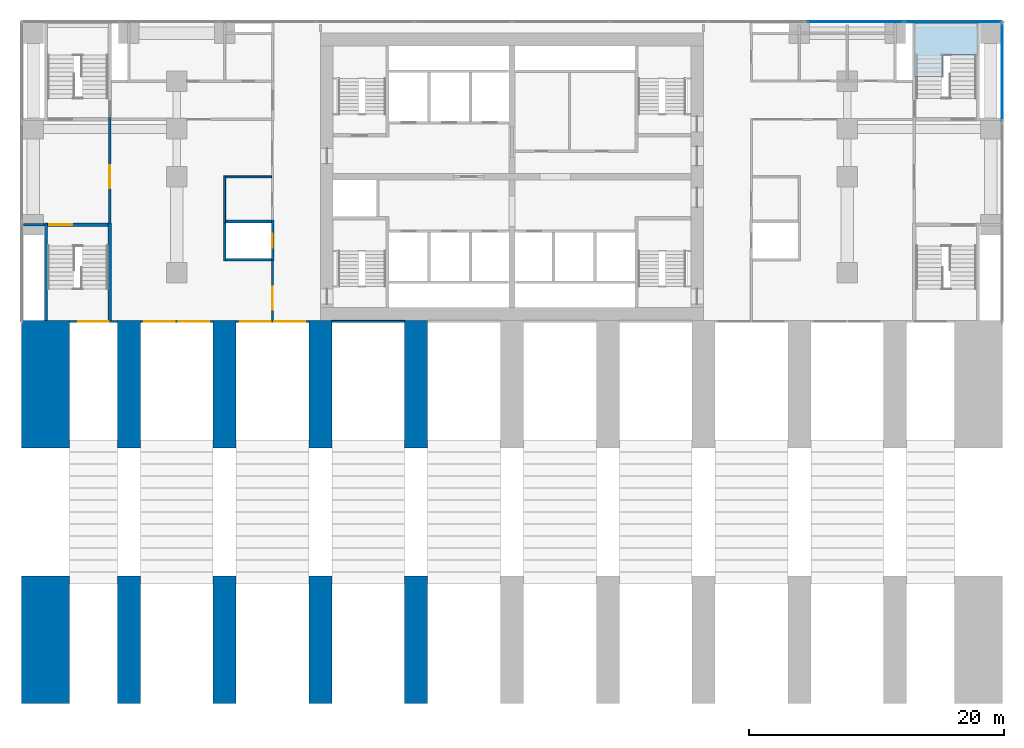
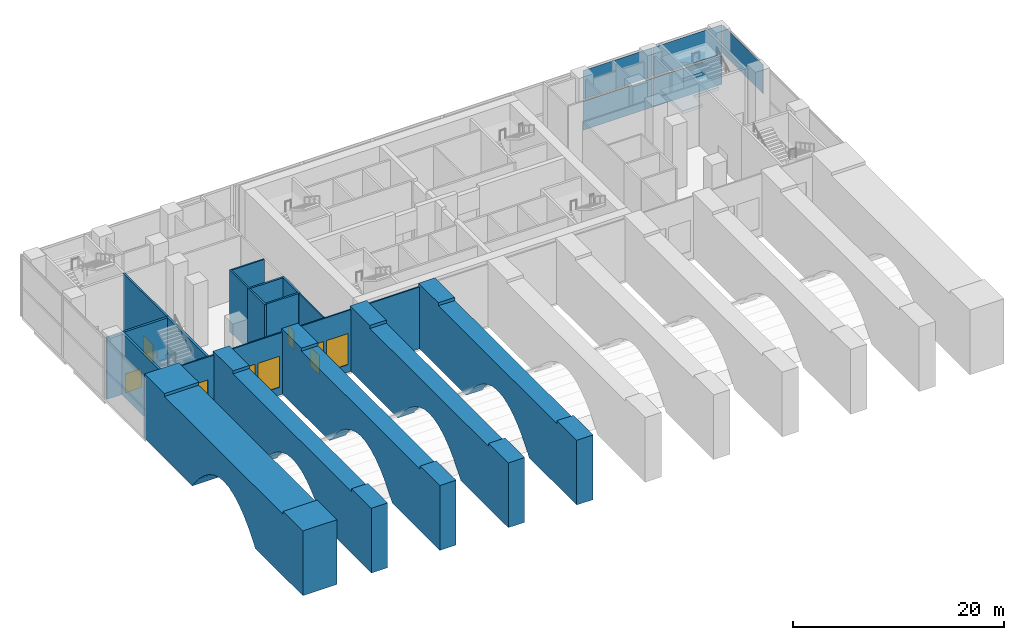
# One storey, part 5 of 15: 21 walls, 5 plates, 5 windows, 4 doors, 2 slabs, 9 openings, 4 elements without a shape of their own.
"""IFC4 building model written with IfcOpenShell, lengths in metres."""

import ifcopenshell
import ifcopenshell.guid

model = None  # the IFC model being written
_history = None  # IfcOwnerHistory: only IFC2X3 demands one
_inside = {}  # id of a spatial element -> (the spatial element, [elements in it])
_under = {}  # id of a project, library or spatial element -> (it, [spatial elements below it])
_declared = {}  # id of a project -> (the project, [libraries it declares])
_typed = {}  # id of a type object -> (the type object, [elements of that type])
_made_of = {}  # id of a material, layer set ... -> (it, [elements and type objects made of it])


def new_model(schema):
    """Start an empty IFC model of exactly this schema.

    Asked for "IFC4X3", IfcOpenShell would pick the latest addendum, in which some entities
    have other attributes; the version numbers below select the first issue.
    IFC2X3 requires an IfcOwnerHistory on every rooted entity: one is made here for all.
    """
    global model, _history
    if schema == "IFC4X3":
        model = ifcopenshell.file(schema_version=(4, 3, 0, 0))
    else:
        model = ifcopenshell.file(schema=schema)
    _inside.clear()
    _under.clear()
    _declared.clear()
    _typed.clear()
    _made_of.clear()
    _history = None
    if model.schema == "IFC2X3":
        org = make("IfcOrganization", Name="unknown")
        user = make(
            "IfcPersonAndOrganization",
            ThePerson=make("IfcPerson", FamilyName="unknown"),
            TheOrganization=org,
        )
        app = make(
            "IfcApplication",
            ApplicationDeveloper=org,
            Version="unknown",
            ApplicationFullName="unknown",
            ApplicationIdentifier="unknown",
        )
        _history = make(
            "IfcOwnerHistory",
            OwningUser=user,
            OwningApplication=app,
            ChangeAction="ADDED",
            CreationDate=0,
        )
    return model


def make(cls, **values):
    """One entity of the class cls with the attributes given. An attribute that is None is left unset."""
    return model.create_entity(
        cls, **{name: value for name, value in values.items() if value is not None}
    )


def rooted(cls, **values):
    """An entity with a GlobalId (a new one), such as an element, a storey or a relation."""
    return make(cls, GlobalId=ifcopenshell.guid.new(), OwnerHistory=_history, **values)


def si_unit(unit_type, name, prefix=None):
    """IfcSIUnit, for example si_unit("LENGTHUNIT", "METRE", prefix="MILLI")."""
    return make("IfcSIUnit", UnitType=unit_type, Prefix=prefix, Name=name)


def assignment(units):
    """IfcUnitAssignment: the units of a project."""
    return None if units is None else make("IfcUnitAssignment", Units=units)


def point(xyz):
    """IfcCartesianPoint."""
    return None if xyz is None else make("IfcCartesianPoint", Coordinates=xyz)


def direction(xyz):
    """IfcDirection."""
    return None if xyz is None else make("IfcDirection", DirectionRatios=xyz)


def frame(location, z_axis=None, x_axis=None):
    """IfcAxis2Placement3D, a coordinate frame: its origin and axes. An axis left out is left unset."""
    return make(
        "IfcAxis2Placement3D",
        Location=point(location),
        Axis=direction(z_axis),
        RefDirection=direction(x_axis),
    )


def frame_2d(location, x_axis=None):
    """IfcAxis2Placement2D, a coordinate frame in the plane: its origin and x axis."""
    return make(
        "IfcAxis2Placement2D", Location=point(location), RefDirection=direction(x_axis)
    )


def origin():
    """The frame at (0, 0, 0) with its axes left unset."""
    return frame((0.0, 0.0, 0.0))


def origin_2d():
    """The frame at (0, 0) in the plane with its x axis left unset."""
    return frame_2d((0.0, 0.0))


def place(relative_to, where):
    """IfcLocalPlacement: puts the frame where relative to a parent placement (None: the world)."""
    return make(
        "IfcLocalPlacement", PlacementRelTo=relative_to, RelativePlacement=where
    )


def context(
    kind, dimensions, precision=None, world=None, true_north=None, identifier=None
):
    """IfcGeometricRepresentationContext, for example the 3D "Model" context."""
    return make(
        "IfcGeometricRepresentationContext",
        ContextIdentifier=identifier,
        ContextType=kind,
        CoordinateSpaceDimension=dimensions,
        Precision=precision,
        WorldCoordinateSystem=world,
        TrueNorth=true_north,
    )


def subcontext(parent, identifier, kind, view, scale=None):
    """IfcGeometricRepresentationSubContext, for example "Body" below "Model"."""
    return make(
        "IfcGeometricRepresentationSubContext",
        ContextIdentifier=identifier,
        ContextType=kind,
        ParentContext=parent,
        TargetScale=scale,
        TargetView=view,
    )


def project(units=None, contexts=None):
    """IfcProject with its units and contexts."""
    return rooted(
        "IfcProject",
        Name="project",
        RepresentationContexts=contexts,
        UnitsInContext=assignment(units),
    )


def spatial(cls, under=None, at=None, **own):
    """A site, building, storey or space (cls), placed at a placement, below another one or the project."""
    s = rooted(cls, ObjectPlacement=at, **own)
    if under is not None:
        _under.setdefault(under.id(), (under, []))[1].append(s)
    return s


def polyline(points):
    """IfcPolyline through the points."""
    return make("IfcPolyline", Points=[point(p) for p in points])


def profile(cls, at=None, kind="AREA", **sizes):
    """A parametric profile (cls). Its sizes go by their IFC names, for example OverallWidth=200.0."""
    return make(cls, ProfileType=kind, Position=at, **sizes)


def rectangle(**sizes):
    """IfcRectangleProfileDef."""
    return profile("IfcRectangleProfileDef", **sizes)


def outline(outer, holes=None, kind="AREA"):
    """IfcArbitraryClosedProfileDef: a profile drawn as a closed curve; with holes, ...WithVoids."""
    if holes is None:
        return make("IfcArbitraryClosedProfileDef", ProfileType=kind, OuterCurve=outer)
    return make(
        "IfcArbitraryProfileDefWithVoids",
        ProfileType=kind,
        OuterCurve=outer,
        InnerCurves=holes,
    )


def extrude(swept, where, along, depth):
    """IfcExtrudedAreaSolid: the profile swept, set in the frame where, extruded along a direction by depth."""
    return make(
        "IfcExtrudedAreaSolid",
        SweptArea=swept,
        Position=where,
        ExtrudedDirection=direction(along),
        Depth=depth,
    )


def shape(context_of_items, identifier, shape_type, items):
    """IfcShapeRepresentation: the items that make up one representation, for example the "Body"."""
    return make(
        "IfcShapeRepresentation",
        ContextOfItems=context_of_items,
        RepresentationIdentifier=identifier,
        RepresentationType=shape_type,
        Items=items,
    )


def material(Name=None, Category=None):
    """IfcMaterial."""
    return make("IfcMaterial", Name=Name, Category=Category)


def layer(
    of_material, thickness, ventilated=None, Name=None, Category=None, Priority=None
):
    """IfcMaterialLayer: one layer of a wall or slab, of a material (None: an air gap)."""
    return make(
        "IfcMaterialLayer",
        Material=of_material,
        LayerThickness=thickness,
        IsVentilated=ventilated,
        Name=Name,
        Category=Category,
        Priority=Priority,
    )


def layer_set(layers, Name=None):
    """IfcMaterialLayerSet."""
    return make("IfcMaterialLayerSet", MaterialLayers=layers, LayerSetName=Name)


def made_of(thing, what):
    """Note that an element or type object is made of a material, layer set ...; save() writes the relation."""
    if what is not None:
        _made_of.setdefault(what.id(), (what, []))[1].append(thing)
    return thing


def type_object(cls, material=None, **own):
    """A type object (cls), such as IfcWallType, which elements share."""
    return made_of(rooted(cls, **own), material)


def element(
    cls,
    number,
    at=None,
    inside=None,
    cuts=None,
    type_object=None,
    material=None,
    context=None,
    identifier="Body",
    shape_type=None,
    held_by="IfcProductDefinitionShape",
    body=None,
    shapes=None,
    **own,
):
    """One element of the class cls, such as IfcWall. Its Tag is "e" and its number.

    at: its placement. inside: the storey or other place that contains it. cuts: it is an
    opening in that element (IfcRelVoidsElement). A single representation is given by context,
    identifier, shape_type and body (its items); several are given by shapes. held_by: the class
    of the entity that holds the representations. save() writes the other relations.
    """
    e = rooted(cls, Tag="e%d" % number, ObjectPlacement=at, **own)
    if body is not None:
        shapes = [shape(context, identifier, shape_type, body)]
    if shapes is not None:
        e.Representation = make(held_by, Representations=shapes)
    if inside is not None:
        _inside.setdefault(inside.id(), (inside, []))[1].append(e)
    if cuts is not None:
        rooted(
            "IfcRelVoidsElement", RelatingBuildingElement=cuts, RelatedOpeningElement=e
        )
    if type_object is not None:
        _typed.setdefault(type_object.id(), (type_object, []))[1].append(e)
    return made_of(e, material)


def fill(opening, filler):
    """IfcRelFillsElement: the door or window that sits in an opening."""
    return rooted(
        "IfcRelFillsElement",
        RelatingOpeningElement=opening,
        RelatedBuildingElement=filler,
    )


def aggregate(whole, parts):
    """IfcRelAggregates: a whole, such as a stair, and the parts it consists of."""
    return rooted("IfcRelAggregates", RelatingObject=whole, RelatedObjects=parts)


def save(model, path):
    """Write the relations noted so far, then the file.

    IfcRelAggregates (storeys below a building ...), IfcRelContainedInSpatialStructure (elements
    in a storey), IfcRelDefinesByType, IfcRelAssociatesMaterial and IfcRelDeclares: one each for
    every whole, place, type object, material and project.
    """
    for whole, parts in _under.values():
        aggregate(whole, parts)
    for where, things in _inside.values():
        rooted(
            "IfcRelContainedInSpatialStructure",
            RelatedElements=things,
            RelatingStructure=where,
        )
    for kind, things in _typed.values():
        rooted("IfcRelDefinesByType", RelatedObjects=things, RelatingType=kind)
    for what, things in _made_of.values():
        rooted("IfcRelAssociatesMaterial", RelatedObjects=things, RelatingMaterial=what)
    for by, libraries in _declared.values():
        rooted("IfcRelDeclares", RelatingContext=by, RelatedDefinitions=libraries)
    model.write(path)


model = new_model("IFC4")

# Units and contexts
model_context = context("Model", 3, precision=1e-05, world=origin(), true_north=direction((0.0, 1.0)))
body_context = subcontext(model_context, "Body", "Model", "MODEL_VIEW")
ifc_project = project(units=[si_unit("LENGTHUNIT", "METRE"), si_unit("AREAUNIT", "SQUARE_METRE"), si_unit("VOLUMEUNIT", "CUBIC_METRE"), si_unit("PLANEANGLEUNIT", "RADIAN"), si_unit("MASSUNIT", "GRAM", prefix="KILO")], contexts=[model_context])

# Site, building, storey
site_placement = place(None, origin())
site = spatial("IfcSite", under=ifc_project, at=site_placement, CompositionType="ELEMENT")
building_placement = place(site_placement, origin())
building = spatial("IfcBuilding", under=site, at=building_placement, Name="Pilkhan Gate Tower", CompositionType="ELEMENT")
storey_placement = place(building_placement, frame((0.0, 0.0, 16.5)))
storey = spatial("IfcBuildingStorey", under=building, at=storey_placement, Name="L02", CompositionType="ELEMENT", Elevation=16.5)

# Curtain wall, plate
ifc_material_1 = material(Name="Pale anodised aluminium, clear low-iron laminated glazing", Category="aluminium")
curtain_wall_type = type_object("IfcCurtainWallType", Name="Podium unitised curtain wall CW-P", PredefinedType="USERDEFINED", material=ifc_material_1)
curtain_wall_1_placement = place(storey_placement, origin())
curtain_wall_1 = element("IfcCurtainWall", 1, at=curtain_wall_1_placement, inside=storey, type_object=curtain_wall_type, Name="Podium unitised curtain wall CW-P L02 E", ObjectType="UNITISED CURTAIN WALL", PredefinedType="USERDEFINED")
ifc_material_2 = material(Name="Clear low-iron laminated glazing", Category="glass")
ifc_layer_1 = layer(ifc_material_2, 0.048095703125)
ifc_layer_set_1 = layer_set([ifc_layer_1], Name="Glass panel CW-P 48")
plate_type = type_object("IfcPlateType", Name="Glass panel CW-P 48", PredefinedType="CURTAIN_PANEL", material=ifc_layer_set_1)
plate_1_placement = place(storey_placement, frame((113.39501953125, 90.7216796875, 3.5751953125), z_axis=(0.0, 0.0, 1.0), x_axis=(0.0, 1.0, 0.0)))
plate_1 = element("IfcPlate", 2, at=plate_1_placement, type_object=plate_type, Name="CW-P panel 1", PredefinedType="CURTAIN_PANEL", context=body_context, shape_type="SweptSolid", body=[
    extrude(rectangle(XDim=7.686767578125, YDim=0.048095703125, at=origin_2d()), origin(), (0.0, 0.0, 1.0), 3.324951171875),
])
aggregate(curtain_wall_1, [plate_1])

# Curtain wall, plates
curtain_wall_2_placement = place(storey_placement, origin())
curtain_wall_2 = element("IfcCurtainWall", 3, at=curtain_wall_2_placement, inside=storey, type_object=curtain_wall_type, Name="Podium unitised curtain wall CW-P L02 N", ObjectType="UNITISED CURTAIN WALL", PredefinedType="USERDEFINED")
plate_2_placement = place(storey_placement, frame((101.896484375, 94.64501953125, 0.0), z_axis=(0.0, 0.0, 1.0), x_axis=(1.0, 0.0, 0.0)))
plate_2 = element("IfcPlate", 4, at=plate_2_placement, type_object=plate_type, Name="CW-P panel 1", PredefinedType="CURTAIN_PANEL", context=body_context, shape_type="SweptSolid", body=[
    extrude(rectangle(XDim=7.55908203125, YDim=0.048095703125, at=origin_2d()), origin(), (0.0, 0.0, 1.0), 3.324951171875),
])
plate_3_placement = place(storey_placement, frame((109.535400390625, 94.64501953125, 0.0), z_axis=(0.0, 0.0, 1.0), x_axis=(1.0, 0.0, 0.0)))
plate_3 = element("IfcPlate", 5, at=plate_3_placement, type_object=plate_type, Name="CW-P panel 2", PredefinedType="CURTAIN_PANEL", context=body_context, shape_type="SweptSolid", body=[
    extrude(rectangle(XDim=7.55908203125, YDim=0.048095703125, at=origin_2d()), origin(), (0.0, 0.0, 1.0), 3.324951171875),
])
aggregate(curtain_wall_2, [plate_2, plate_3])

curtain_wall_3_placement = place(storey_placement, origin())
curtain_wall_3 = element("IfcCurtainWall", 6, at=curtain_wall_3_placement, inside=storey, type_object=curtain_wall_type, Name="Podium unitised curtain wall CW-P L02 N", ObjectType="UNITISED CURTAIN WALL", PredefinedType="USERDEFINED")
plate_4_placement = place(storey_placement, frame((101.896484375, 94.64501953125, 3.5751953125), z_axis=(0.0, 0.0, 1.0), x_axis=(1.0, 0.0, 0.0)))
plate_4 = element("IfcPlate", 7, at=plate_4_placement, type_object=plate_type, Name="CW-P panel 1", PredefinedType="CURTAIN_PANEL", context=body_context, shape_type="SweptSolid", body=[
    extrude(rectangle(XDim=7.55908203125, YDim=0.048095703125, at=origin_2d()), origin(), (0.0, 0.0, 1.0), 3.324951171875),
])
plate_5_placement = place(storey_placement, frame((109.535400390625, 94.64501953125, 3.5751953125), z_axis=(0.0, 0.0, 1.0), x_axis=(1.0, 0.0, 0.0)))
plate_5 = element("IfcPlate", 8, at=plate_5_placement, type_object=plate_type, Name="CW-P panel 2", PredefinedType="CURTAIN_PANEL", context=body_context, shape_type="SweptSolid", body=[
    extrude(rectangle(XDim=7.55908203125, YDim=0.048095703125, at=origin_2d()), origin(), (0.0, 0.0, 1.0), 3.324951171875),
])
aggregate(curtain_wall_3, [plate_4, plate_5])

# Stair, slabs
ifc_material_3 = material(Name="Concrete C40/50 precast", Category="concrete")
stair_type = type_object("IfcStairType", Name="Stair PS2 170x340", PredefinedType="HALF_TURN_STAIR", material=ifc_material_3)
stair_placement = place(storey_placement, origin())
stair = element("IfcStair", 9, at=stair_placement, inside=storey, type_object=stair_type, Name="Stair PS2 L02", PredefinedType="HALF_TURN_STAIR")
ifc_material_4 = material(Name="Concrete C40/50", Category="concrete")
ifc_layer_2 = layer(ifc_material_4, 0.35009765625)
ifc_layer_set_2 = layer_set([ifc_layer_2], Name="Stair landing SL350")
slab_type = type_object("IfcSlabType", Name="Stair landing SL350", PredefinedType="LANDING", material=ifc_layer_set_2)
slab_1_placement = place(storey_placement, frame((0.0, 0.0, 1.52490234375)))
slab_1 = element("IfcSlab", 10, at=slab_1_placement, type_object=slab_type, Name="PS2 landing 1", PredefinedType="LANDING", context=body_context, shape_type="SweptSolid", body=[
    extrude(outline(polyline([(106.5, 90.35009765625), (108.699951171875, 90.35009765625), (108.699951171875, 92.049560546875), (111.5, 92.049560546875), (111.5, 94.5), (106.5, 94.5), (106.5, 92.050048828125), (106.5, 92.049560546875), (106.5, 90.35009765625)])), origin(), (0.0, 0.0, 1.0), 0.35009765625),
])
slab_2_placement = place(storey_placement, frame((0.0, 0.0, 5.27490234375)))
slab_2 = element("IfcSlab", 11, at=slab_2_placement, type_object=slab_type, Name="PS2 landing 3", PredefinedType="LANDING", context=body_context, shape_type="SweptSolid", body=[
    extrude(outline(polyline([(106.5, 90.35009765625), (108.699951171875, 90.35009765625), (108.699951171875, 92.049560546875), (111.5, 92.049560546875), (111.5, 94.5), (106.5, 94.5), (106.5, 92.050048828125), (106.5, 92.049560546875), (106.5, 90.35009765625)])), origin(), (0.0, 0.0, 1.0), 0.35009765625),
])
aggregate(stair, [slab_1, slab_2])

# Walls
ifc_material_5 = material(Name="Concrete C70/85", Category="concrete")
ifc_layer_3 = layer(ifc_material_5, 1.800048828125)
ifc_layer_set_3 = layer_set([ifc_layer_3], Name="Arch wall AW1800 C70/85")
wall_type_1 = type_object("IfcWallType", Name="Arch wall AW1800 C70/85", PredefinedType="SHEAR", material=ifc_layer_set_3)
for number, where, z_axis, x_axis, name in (
    (12, (45.89990234375, 62.220458984375, 0.0), (1.0, 0.0, 0.0), (0.0, 1.0, 0.0), "Arch wall -30.00 L02-1"),
    (13, (53.39990234375, 62.220458984375, 0.0), (1.0, 0.0, 0.0), (0.0, 1.0, 0.0), "Arch wall -22.50 L02-1"),
    (14, (60.89990234375, 62.220458984375, 0.0), (1.0, 0.0, 0.0), (0.0, 1.0, 0.0), "Arch wall -15.00 L02-1"),
    (15, (68.39990234375, 62.220458984375, 0.0), (1.0, 0.0, 0.0), (0.0, 1.0, 0.0), "Arch wall -7.50 L02-1"),
):
    element("IfcWall", number, at=place(storey_placement, frame(where, z_axis=z_axis, x_axis=x_axis)), inside=storey, type_object=wall_type_1, Name=name, PredefinedType="SHEAR", context=body_context, shape_type="SweptSolid", body=[
        extrude(outline(polyline([(0.0, 0.0), (9.029541015625, 0.0), (9.029541015625, 7.5), (5.279541015625, 7.5), (5.279541015625, 7.14990234375), (-17.220458984375, 7.14990234375), (-17.220458984375, 7.5), (-20.970458984375, 7.5), (-20.970458984375, 0.0), (-11.94091796875, 0.0), (-11.595458984375, 0.487548828125), (-10.657958984375, 1.606689453125), (-9.720458984375, 2.522216796875), (-8.782958984375, 3.234375), (-7.845458984375, 3.7431640625), (-6.907958984375, 4.04833984375), (-5.970458984375, 4.14990234375), (-5.032958984375, 4.04833984375), (-4.095458984375, 3.7431640625), (-3.157958984375, 3.234375), (-2.220458984375, 2.522216796875), (-1.282958984375, 1.606689453125), (-0.345458984375, 0.487548828125), (0.0, 0.0)])), origin(), (0.0, 0.0, -1.0), 1.800048828125),
    ])
ifc_layer_4 = layer(ifc_material_5, 3.75)
ifc_layer_set_4 = layer_set([ifc_layer_4], Name="Arch wall AW3750 C70/85")
wall_type_2 = type_object("IfcWallType", Name="Arch wall AW3750 C70/85", PredefinedType="SHEAR", material=ifc_layer_set_4)
wall_1_placement = place(storey_placement, frame((40.35009765625, 62.220458984375, 0.0), z_axis=(1.0, 0.0, 0.0), x_axis=(0.0, 1.0, 0.0)))
element("IfcWall", 16, at=wall_1_placement, inside=storey, type_object=wall_type_2, Name="Arch wall -37.50 L02-1", PredefinedType="SHEAR", context=body_context, shape_type="SweptSolid", body=[
    extrude(outline(polyline([(0.0, 0.0), (9.029541015625, 0.0), (9.029541015625, 7.5), (5.279541015625, 7.5), (5.279541015625, 7.14990234375), (-17.220458984375, 7.14990234375), (-17.220458984375, 7.5), (-20.970458984375, 7.5), (-20.970458984375, 0.0), (-11.94091796875, 0.0), (-11.595458984375, 0.487548828125), (-10.657958984375, 1.606689453125), (-9.720458984375, 2.522216796875), (-8.782958984375, 3.234375), (-7.845458984375, 3.7431640625), (-6.907958984375, 4.04833984375), (-5.970458984375, 4.14990234375), (-5.032958984375, 4.04833984375), (-4.095458984375, 3.7431640625), (-3.157958984375, 3.234375), (-2.220458984375, 2.522216796875), (-1.282958984375, 1.606689453125), (-0.345458984375, 0.487548828125), (0.0, 0.0)])), origin(), (0.0, 0.0, -1.0), 3.75),
])

# Wall, opening, window
ifc_material_6 = material(Name="Pale anodised aluminium, clear laminated glazing", Category="aluminium")
ifc_layer_5 = layer(ifc_material_6, 0.14990234375)
ifc_layer_set_5 = layer_set([ifc_layer_5], Name="Facade infill wall IW150")
wall_type_3 = type_object("IfcWallType", Name="Facade infill wall IW150", PredefinedType="SOLIDWALL", material=ifc_layer_set_5)
wall_2_placement = place(storey_placement, frame((40.35009765625, 71.175048828125, 0.0), z_axis=(0.0, 0.0, 1.0), x_axis=(1.0, 0.0, 0.0)))
wall_2 = element("IfcWall", 17, at=wall_2_placement, inside=storey, type_object=wall_type_3, Name="Shopfront wall L02", PredefinedType="SOLIDWALL", context=body_context, shape_type="SweptSolid", body=[
    extrude(rectangle(XDim=3.75, YDim=0.14990234375, at=frame_2d((1.875, 0.0))), origin(), (0.0, 0.0, 1.0), 7.14990234375),
])
opening_1_placement = place(wall_2_placement, frame((0.675048828125, 0.0, 0.89990234375)))
opening_1 = element("IfcOpeningElement", 18, at=opening_1_placement, cuts=wall_2, Name="Opening WS2", PredefinedType="OPENING", context=body_context, shape_type="SweptSolid", body=[
    extrude(rectangle(XDim=2.39990234375, YDim=3.60009765625, at=frame_2d((1.199951171875, 1.800048828125))), frame((0.0, 0.0849609375, 0.0), z_axis=(0.0, -1.0, 0.0), x_axis=(1.0, 0.0, 0.0)), (0.0, 0.0, 1.0), 0.169921875),
])
window_type = type_object("IfcWindowType", Name="Shopfront window WS2 2400x3600", PartitioningType="SINGLE_PANEL", PredefinedType="WINDOW", material=ifc_material_6)
window_1_placement = place(opening_1_placement, origin())
window_1 = element("IfcWindow", 19, at=window_1_placement, inside=storey, type_object=window_type, Name="Shopfront window L02", OverallHeight=3.60009765625, OverallWidth=2.39990234375, PartitioningType="SINGLE_PANEL", PredefinedType="WINDOW", context=body_context, shape_type="SweptSolid", body=[
    extrude(rectangle(XDim=2.39990234375, YDim=3.60009765625, at=frame_2d((1.199951171875, 1.800048828125))), frame((0.0, 0.030029296875, 0.0), z_axis=(0.0, -1.0, 0.0), x_axis=(1.0, 0.0, 0.0)), (0.0, 0.0, 1.0), 0.06005859375),
])
fill(opening_1, window_1)

# Wall, openings, windows
wall_3_placement = place(storey_placement, frame((45.89990234375, 71.175048828125, 0.0), z_axis=(0.0, 0.0, 1.0), x_axis=(1.0, 0.0, 0.0)))
wall_3 = element("IfcWall", 20, at=wall_3_placement, inside=storey, type_object=wall_type_3, Name="Shopfront wall L02", PredefinedType="SOLIDWALL", context=body_context, shape_type="SweptSolid", body=[
    extrude(rectangle(XDim=5.7001953125, YDim=0.14990234375, at=frame_2d((2.85009765625, 0.0))), origin(), (0.0, 0.0, 1.0), 7.14990234375),
])
opening_2_placement = place(wall_3_placement, frame((0.300048828125, 0.0, 0.89990234375)))
opening_2 = element("IfcOpeningElement", 21, at=opening_2_placement, cuts=wall_3, Name="Opening WS2", PredefinedType="OPENING", context=body_context, shape_type="SweptSolid", body=[
    extrude(rectangle(XDim=2.39990234375, YDim=3.60009765625, at=frame_2d((1.199951171875, 1.800048828125))), frame((0.0, 0.0849609375, 0.0), z_axis=(0.0, -1.0, 0.0), x_axis=(1.0, 0.0, 0.0)), (0.0, 0.0, 1.0), 0.169921875),
])
opening_3_placement = place(wall_3_placement, frame((3.0, 0.0, 0.89990234375)))
opening_3 = element("IfcOpeningElement", 22, at=opening_3_placement, cuts=wall_3, Name="Opening WS2", PredefinedType="OPENING", context=body_context, shape_type="SweptSolid", body=[
    extrude(rectangle(XDim=2.39990234375, YDim=3.60009765625, at=frame_2d((1.199951171875, 1.800048828125))), frame((0.0, 0.0849609375, 0.0), z_axis=(0.0, -1.0, 0.0), x_axis=(1.0, 0.0, 0.0)), (0.0, 0.0, 1.0), 0.169921875),
])
window_2_placement = place(opening_2_placement, origin())
window_2 = element("IfcWindow", 23, at=window_2_placement, inside=storey, type_object=window_type, Name="Shopfront window L02", OverallHeight=3.60009765625, OverallWidth=2.39990234375, PartitioningType="SINGLE_PANEL", PredefinedType="WINDOW", context=body_context, shape_type="SweptSolid", body=[
    extrude(rectangle(XDim=2.39990234375, YDim=3.60009765625, at=frame_2d((1.199951171875, 1.800048828125))), frame((0.0, 0.030029296875, 0.0), z_axis=(0.0, -1.0, 0.0), x_axis=(1.0, 0.0, 0.0)), (0.0, 0.0, 1.0), 0.06005859375),
])
fill(opening_2, window_2)
window_3_placement = place(opening_3_placement, origin())
window_3 = element("IfcWindow", 24, at=window_3_placement, inside=storey, type_object=window_type, Name="Shopfront window L02", OverallHeight=3.60009765625, OverallWidth=2.39990234375, PartitioningType="SINGLE_PANEL", PredefinedType="WINDOW", context=body_context, shape_type="SweptSolid", body=[
    extrude(rectangle(XDim=2.39990234375, YDim=3.60009765625, at=frame_2d((1.199951171875, 1.800048828125))), frame((0.0, 0.030029296875, 0.0), z_axis=(0.0, -1.0, 0.0), x_axis=(1.0, 0.0, 0.0)), (0.0, 0.0, 1.0), 0.06005859375),
])
fill(opening_3, window_3)

wall_4_placement = place(storey_placement, frame((53.39990234375, 71.175048828125, 0.0), z_axis=(0.0, 0.0, 1.0), x_axis=(1.0, 0.0, 0.0)))
wall_4 = element("IfcWall", 25, at=wall_4_placement, inside=storey, type_object=wall_type_3, Name="Shopfront wall L02", PredefinedType="SOLIDWALL", context=body_context, shape_type="SweptSolid", body=[
    extrude(rectangle(XDim=5.7001953125, YDim=0.14990234375, at=frame_2d((2.85009765625, 0.0))), origin(), (0.0, 0.0, 1.0), 7.14990234375),
])
opening_4_placement = place(wall_4_placement, frame((0.300048828125, 0.0, 0.89990234375)))
opening_4 = element("IfcOpeningElement", 26, at=opening_4_placement, cuts=wall_4, Name="Opening WS2", PredefinedType="OPENING", context=body_context, shape_type="SweptSolid", body=[
    extrude(rectangle(XDim=2.39990234375, YDim=3.60009765625, at=frame_2d((1.199951171875, 1.800048828125))), frame((0.0, 0.0849609375, 0.0), z_axis=(0.0, -1.0, 0.0), x_axis=(1.0, 0.0, 0.0)), (0.0, 0.0, 1.0), 0.169921875),
])
opening_5_placement = place(wall_4_placement, frame((3.0, 0.0, 0.89990234375)))
opening_5 = element("IfcOpeningElement", 27, at=opening_5_placement, cuts=wall_4, Name="Opening WS2", PredefinedType="OPENING", context=body_context, shape_type="SweptSolid", body=[
    extrude(rectangle(XDim=2.39990234375, YDim=3.60009765625, at=frame_2d((1.199951171875, 1.800048828125))), frame((0.0, 0.0849609375, 0.0), z_axis=(0.0, -1.0, 0.0), x_axis=(1.0, 0.0, 0.0)), (0.0, 0.0, 1.0), 0.169921875),
])
window_4_placement = place(opening_4_placement, origin())
window_4 = element("IfcWindow", 28, at=window_4_placement, inside=storey, type_object=window_type, Name="Shopfront window L02", OverallHeight=3.60009765625, OverallWidth=2.39990234375, PartitioningType="SINGLE_PANEL", PredefinedType="WINDOW", context=body_context, shape_type="SweptSolid", body=[
    extrude(rectangle(XDim=2.39990234375, YDim=3.60009765625, at=frame_2d((1.199951171875, 1.800048828125))), frame((0.0, 0.030029296875, 0.0), z_axis=(0.0, -1.0, 0.0), x_axis=(1.0, 0.0, 0.0)), (0.0, 0.0, 1.0), 0.06005859375),
])
fill(opening_4, window_4)
window_5_placement = place(opening_5_placement, origin())
window_5 = element("IfcWindow", 29, at=window_5_placement, inside=storey, type_object=window_type, Name="Shopfront window L02", OverallHeight=3.60009765625, OverallWidth=2.39990234375, PartitioningType="SINGLE_PANEL", PredefinedType="WINDOW", context=body_context, shape_type="SweptSolid", body=[
    extrude(rectangle(XDim=2.39990234375, YDim=3.60009765625, at=frame_2d((1.199951171875, 1.800048828125))), frame((0.0, 0.030029296875, 0.0), z_axis=(0.0, -1.0, 0.0), x_axis=(1.0, 0.0, 0.0)), (0.0, 0.0, 1.0), 0.06005859375),
])
fill(opening_5, window_5)

# Walls
wall_5_placement = place(storey_placement, frame((60.89990234375, 71.175048828125, 0.0), z_axis=(0.0, 0.0, 1.0), x_axis=(1.0, 0.0, 0.0)))
element("IfcWall", 30, at=wall_5_placement, inside=storey, type_object=wall_type_3, Name="Shopfront wall L02", PredefinedType="SOLIDWALL", context=body_context, shape_type="SweptSolid", body=[
    extrude(rectangle(XDim=5.7001953125, YDim=0.14990234375, at=frame_2d((2.85009765625, 0.0))), origin(), (0.0, 0.0, 1.0), 7.14990234375),
])
ifc_material_7 = material(Name="Dense blockwork", Category="masonry")
ifc_layer_6 = layer(ifc_material_7, 0.199951171875)
ifc_layer_set_6 = layer_set([ifc_layer_6], Name="Lobby wall LW200")
wall_type_4 = type_object("IfcWallType", Name="Lobby wall LW200", PredefinedType="PARTITIONING", material=ifc_layer_set_6)
wall_6_placement = place(storey_placement, frame((36.735107421875, 78.75, 0.0), z_axis=(0.0, 0.0, 1.0), x_axis=(1.0, 0.0, 0.0)))
element("IfcWall", 31, at=wall_6_placement, inside=storey, type_object=wall_type_4, Name="Partition L02", PredefinedType="PARTITIONING", context=body_context, shape_type="SweptSolid", body=[
    extrude(rectangle(XDim=1.639892578125, YDim=0.199951171875, at=frame_2d((0.81982421875, 0.0))), origin(), (0.0, 0.0, 1.0), 7.14990234375),
])

# Wall, opening, door
wall_7_placement = place(storey_placement, frame((43.5, 78.625, 0.0), z_axis=(0.0, 0.0, 1.0), x_axis=(0.0, 1.0, 0.0)))
wall_7 = element("IfcWall", 32, at=wall_7_placement, inside=storey, type_object=wall_type_4, Name="Partition L02", PredefinedType="PARTITIONING", context=body_context, shape_type="SweptSolid", body=[
    extrude(rectangle(XDim=8.5, YDim=0.199951171875, at=frame_2d((4.25, 0.0))), origin(), (0.0, 0.0, 1.0), 7.14990234375),
])
opening_6_placement = place(wall_7_placement, frame((2.97509765625, 0.0, 0.0)))
opening_6 = element("IfcOpeningElement", 33, at=opening_6_placement, cuts=wall_7, Name="Opening L02-15", PredefinedType="OPENING", context=body_context, shape_type="SweptSolid", body=[
    extrude(rectangle(XDim=1.800048828125, YDim=2.199951171875, at=frame_2d((0.89990234375, 1.10009765625))), frame((0.0, 0.10986328125, 0.0), z_axis=(0.0, -1.0, 0.0), x_axis=(1.0, 0.0, 0.0)), (0.0, 0.0, 1.0), 0.219970703125),
])
ifc_material_8 = material(Name="Timber glazed double door, 30 minute fire resisting", Category="wood")
door_type_1 = type_object("IfcDoorType", Name="Double door D04 1800x2200", OperationType="DOUBLE_DOOR_SINGLE_SWING", PredefinedType="DOOR", material=ifc_material_8)
door_1_placement = place(opening_6_placement, origin())
door_1 = element("IfcDoor", 34, at=door_1_placement, inside=storey, type_object=door_type_1, Name="Ballroom door", OperationType="DOUBLE_DOOR_SINGLE_SWING", OverallHeight=2.199951171875, OverallWidth=1.800048828125, PredefinedType="DOOR", context=body_context, shape_type="SweptSolid", body=[
    extrude(rectangle(XDim=1.800048828125, YDim=2.199951171875, at=frame_2d((0.89990234375, 1.10009765625))), frame((0.0, 0.02490234375, 0.0), z_axis=(0.0, -1.0, 0.0), x_axis=(1.0, 0.0, 0.0)), (0.0, 0.0, 1.0), 0.050048828125),
])
fill(opening_6, door_1)

# Walls
ifc_material_9 = material(Name="Blockwork partition, plastered both sides", Category="masonry")
ifc_layer_7 = layer(ifc_material_9, 0.14990234375)
ifc_layer_set_7 = layer_set([ifc_layer_7], Name="Partition PW150")
wall_type_5 = type_object("IfcWallType", Name="Partition PW150", PredefinedType="PARTITIONING", material=ifc_layer_set_7)
wall_8_placement = place(storey_placement, frame((52.574951171875, 82.5, 0.0), z_axis=(0.0, 0.0, 1.0), x_axis=(1.0, 0.0, 0.0)))
element("IfcWall", 35, at=wall_8_placement, inside=storey, type_object=wall_type_5, Name="Partition L02", PredefinedType="PARTITIONING", context=body_context, shape_type="SweptSolid", body=[
    extrude(rectangle(XDim=3.60009765625, YDim=0.14990234375, at=frame_2d((1.800048828125, 0.0))), origin(), (0.0, 0.0, 1.0), 7.14990234375),
])
wall_9_placement = place(storey_placement, frame((52.5, 78.89990234375, 0.0), z_axis=(0.0, 0.0, 1.0), x_axis=(0.0, 1.0, 0.0)))
element("IfcWall", 36, at=wall_9_placement, inside=storey, type_object=wall_type_5, Name="Partition L02", PredefinedType="PARTITIONING", context=body_context, shape_type="SweptSolid", body=[
    extrude(rectangle(XDim=3.675048828125, YDim=0.14990234375, at=frame_2d((1.83740234375, 0.0))), origin(), (0.0, 0.0, 1.0), 7.14990234375),
])

# Wall, opening, door
wall_10_placement = place(storey_placement, frame((56.25, 71.25, 0.0), z_axis=(0.0, 0.0, 1.0), x_axis=(0.0, 1.0, 0.0)))
wall_10 = element("IfcWall", 37, at=wall_10_placement, inside=storey, type_object=wall_type_5, Name="Partition L02", PredefinedType="PARTITIONING", context=body_context, shape_type="SweptSolid", body=[
    extrude(rectangle(XDim=4.85009765625, YDim=0.14990234375, at=frame_2d((2.425048828125, 0.0))), origin(), (0.0, 0.0, 1.0), 7.14990234375),
])
opening_7_placement = place(wall_10_placement, frame((0.85009765625, 0.0, 0.0)))
opening_7 = element("IfcOpeningElement", 38, at=opening_7_placement, cuts=wall_10, Name="Opening L02-11", PredefinedType="OPENING", context=body_context, shape_type="SweptSolid", body=[
    extrude(rectangle(XDim=1.800048828125, YDim=2.199951171875, at=frame_2d((0.89990234375, 1.10009765625))), frame((0.0, 0.0849609375, 0.0), z_axis=(0.0, -1.0, 0.0), x_axis=(1.0, 0.0, 0.0)), (0.0, 0.0, 1.0), 0.169921875),
])
door_2_placement = place(opening_7_placement, origin())
door_2 = element("IfcDoor", 39, at=door_2_placement, inside=storey, type_object=door_type_1, Name="Ballroom door", OperationType="DOUBLE_DOOR_SINGLE_SWING", OverallHeight=2.199951171875, OverallWidth=1.800048828125, PredefinedType="DOOR", context=body_context, shape_type="SweptSolid", body=[
    extrude(rectangle(XDim=1.800048828125, YDim=2.199951171875, at=frame_2d((0.89990234375, 1.10009765625))), frame((0.0, 0.02490234375, 0.0), z_axis=(0.0, -1.0, 0.0), x_axis=(1.0, 0.0, 0.0)), (0.0, 0.0, 1.0), 0.050048828125),
])
fill(opening_7, door_2)

# Walls
ifc_material_10 = material(Name="Reinforced blockwork shaft wall, 120 minute fire resisting", Category="masonry")
ifc_layer_8 = layer(ifc_material_10, 0.199951171875)
ifc_layer_set_8 = layer_set([ifc_layer_8], Name="Shaft wall SW200")
wall_type_6 = type_object("IfcWallType", Name="Shaft wall SW200", PredefinedType="PARTITIONING", material=ifc_layer_set_8)
for number, where, z_axis, x_axis, name in (
    (40, (52.60009765625, 76.0, 0.0), (0.0, 0.0, 1.0), (1.0, 0.0, 0.0), "Partition L02"),
    (41, (52.60009765625, 79.0, 0.0), (0.0, 0.0, 1.0), (1.0, 0.0, 0.0), "Partition L02"),
):
    element("IfcWall", number, at=place(storey_placement, frame(where, z_axis=z_axis, x_axis=x_axis)), inside=storey, type_object=wall_type_6, Name=name, PredefinedType="PARTITIONING", context=body_context, shape_type="SweptSolid", body=[
        extrude(rectangle(XDim=3.5498046875, YDim=0.199951171875, at=frame_2d((1.77490234375, 0.0))), origin(), (0.0, 0.0, 1.0), 7.14990234375),
    ])
wall_11_placement = place(storey_placement, frame((52.5, 75.89990234375, 0.0), z_axis=(0.0, 0.0, 1.0), x_axis=(0.0, 1.0, 0.0)))
element("IfcWall", 42, at=wall_11_placement, inside=storey, type_object=wall_type_6, Name="Partition L02", PredefinedType="PARTITIONING", context=body_context, shape_type="SweptSolid", body=[
    extrude(rectangle(XDim=3.2001953125, YDim=0.199951171875, at=frame_2d((1.60009765625, 0.0))), origin(), (0.0, 0.0, 1.0), 7.14990234375),
])

# Wall, opening, door
wall_12_placement = place(storey_placement, frame((56.25, 75.89990234375, 0.0), z_axis=(0.0, 0.0, 1.0), x_axis=(0.0, 1.0, 0.0)))
wall_12 = element("IfcWall", 43, at=wall_12_placement, inside=storey, type_object=wall_type_6, Name="Partition L02", PredefinedType="PARTITIONING", context=body_context, shape_type="SweptSolid", body=[
    extrude(rectangle(XDim=3.2001953125, YDim=0.199951171875, at=frame_2d((1.60009765625, 0.0))), origin(), (0.0, 0.0, 1.0), 7.14990234375),
])
opening_8_placement = place(wall_12_placement, frame((1.050048828125, 0.0, 0.0)))
opening_8 = element("IfcOpeningElement", 44, at=opening_8_placement, cuts=wall_12, Name="Opening LD", PredefinedType="OPENING", context=body_context, shape_type="SweptSolid", body=[
    extrude(rectangle(XDim=1.10009765625, YDim=2.199951171875, at=frame_2d((0.550048828125, 1.10009765625))), frame((0.0, 0.10986328125, 0.0), z_axis=(0.0, -1.0, 0.0), x_axis=(1.0, 0.0, 0.0)), (0.0, 0.0, 1.0), 0.219970703125),
])
ifc_material_11 = material(Name="Stainless steel centre-opening landing door, 120 minute fire resisting", Category="steel")
door_type_2 = type_object("IfcDoorType", Name="Lift landing door LD 1100x2200", OperationType="DOUBLE_DOOR_SLIDING", PredefinedType="DOOR", material=ifc_material_11)
door_3_placement = place(opening_8_placement, origin())
door_3 = element("IfcDoor", 45, at=door_3_placement, inside=storey, type_object=door_type_2, Name="Landing door P1", OperationType="DOUBLE_DOOR_SLIDING", OverallHeight=2.199951171875, OverallWidth=1.10009765625, PredefinedType="DOOR", context=body_context, shape_type="SweptSolid", body=[
    extrude(rectangle(XDim=1.10009765625, YDim=2.199951171875, at=frame_2d((0.550048828125, 1.10009765625))), frame((0.0, 0.02490234375, 0.0), z_axis=(0.0, -1.0, 0.0), x_axis=(1.0, 0.0, 0.0)), (0.0, 0.0, 1.0), 0.050048828125),
])
fill(opening_8, door_3)

ifc_material_12 = material(Name="Reinforced blockwork, 120 minute fire resisting", Category="masonry")
ifc_layer_9 = layer(ifc_material_12, 0.25)
ifc_layer_set_9 = layer_set([ifc_layer_9], Name="Stair enclosure wall SE250")
wall_type_7 = type_object("IfcWallType", Name="Stair enclosure wall SE250", PredefinedType="PARTITIONING", material=ifc_layer_set_9)
wall_13_placement = place(storey_placement, frame((38.625, 78.75, 0.0), z_axis=(0.0, 0.0, 1.0), x_axis=(1.0, 0.0, 0.0)))
wall_13 = element("IfcWall", 46, at=wall_13_placement, inside=storey, type_object=wall_type_7, Name="Partition L02", PredefinedType="PARTITIONING", context=body_context, shape_type="SweptSolid", body=[
    extrude(rectangle(XDim=4.75, YDim=0.25, at=frame_2d((2.375, 0.0))), origin(), (0.0, 0.0, 1.0), 7.14990234375),
])
opening_9_placement = place(wall_13_placement, frame((0.14990234375, 0.0, 0.0)))
opening_9 = element("IfcOpeningElement", 47, at=opening_9_placement, cuts=wall_13, Name="Opening L02-09", PredefinedType="OPENING", context=body_context, shape_type="SweptSolid", body=[
    extrude(rectangle(XDim=1.800048828125, YDim=2.199951171875, at=frame_2d((0.89990234375, 1.10009765625))), frame((0.0, 0.135009765625, 0.0), z_axis=(0.0, -1.0, 0.0), x_axis=(1.0, 0.0, 0.0)), (0.0, 0.0, 1.0), 0.27001953125),
])
ifc_material_13 = material(Name="Steel double door, 120 minute fire resisting, panic bar", Category="steel")
door_type_3 = type_object("IfcDoorType", Name="Stair door D14 1800x2200", OperationType="DOUBLE_DOOR_SINGLE_SWING", PredefinedType="DOOR", material=ifc_material_13)
door_4_placement = place(opening_9_placement, origin())
door_4 = element("IfcDoor", 48, at=door_4_placement, inside=storey, type_object=door_type_3, Name="Stair PS3 door", OperationType="DOUBLE_DOOR_SINGLE_SWING", OverallHeight=2.199951171875, OverallWidth=1.800048828125, PredefinedType="DOOR", context=body_context, shape_type="SweptSolid", body=[
    extrude(rectangle(XDim=1.800048828125, YDim=2.199951171875, at=frame_2d((0.89990234375, 1.10009765625))), frame((0.0, 0.02490234375, 0.0), z_axis=(0.0, -1.0, 0.0), x_axis=(1.0, 0.0, 0.0)), (0.0, 0.0, 1.0), 0.050048828125),
])
fill(opening_9, door_4)

# Walls
for number, where, z_axis, x_axis, name in (
    (49, (38.5, 71.25, 0.0), (0.0, 0.0, 1.0), (0.0, 1.0, 0.0), "Partition L02"),
    (50, (43.5, 71.25, 0.0), (0.0, 0.0, 1.0), (0.0, 1.0, 0.0), "Partition L02"),
):
    element("IfcWall", number, at=place(storey_placement, frame(where, z_axis=z_axis, x_axis=x_axis)), inside=storey, type_object=wall_type_7, Name=name, PredefinedType="PARTITIONING", context=body_context, shape_type="SweptSolid", body=[
        extrude(rectangle(XDim=7.625, YDim=0.25, at=frame_2d((3.8125, 0.0))), origin(), (0.0, 0.0, 1.0), 7.14990234375),
    ])

save(model, "model.ifc")
